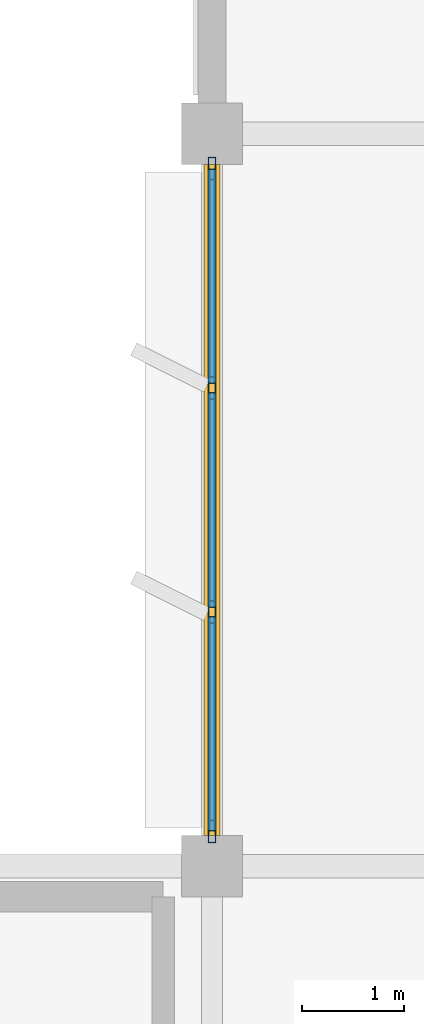
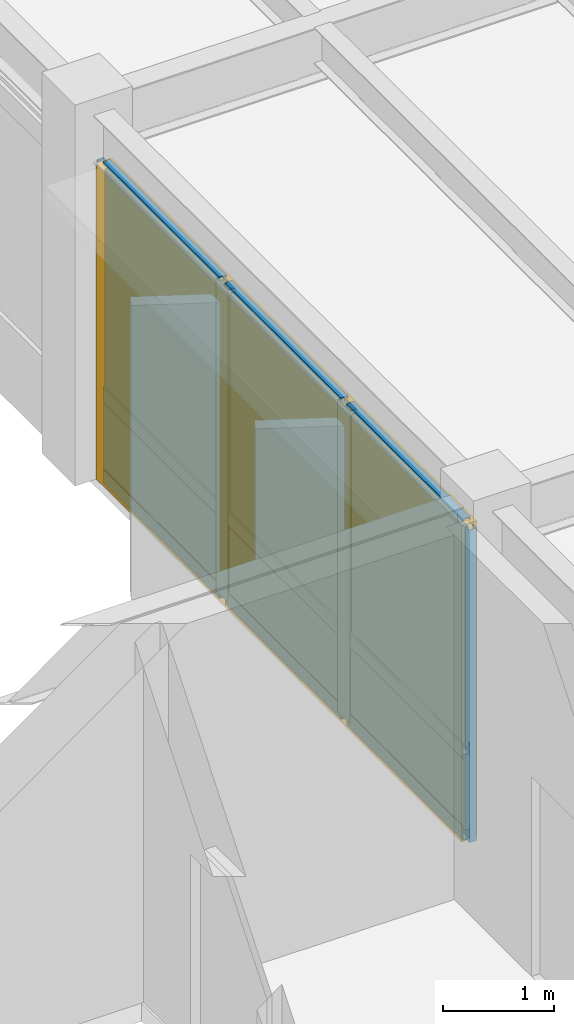
# One storey, part 60 of 85: 13 members, 6 plates, 1 curtain wall.
"""IFC4 building model written with IfcOpenShell, lengths in metres."""

from ifc_helpers import new_model, si_unit, direction, frame, origin, origin_2d, place, context, subcontext, project, spatial, rectangle, hollow_rectangle, extrude, material, layer, layer_set, material_profile, profile_set, type_object, element, aggregate, save


model = new_model("IFC4")

# Units and contexts
model_context = context("Model", 3, precision=1e-05, world=origin(), true_north=direction((0.0, 1.0)))
body_context = subcontext(model_context, "Body", "Model", "MODEL_VIEW")
ifc_project = project(units=[si_unit("LENGTHUNIT", "METRE"), si_unit("AREAUNIT", "SQUARE_METRE"), si_unit("VOLUMEUNIT", "CUBIC_METRE"), si_unit("PLANEANGLEUNIT", "RADIAN"), si_unit("MASSUNIT", "GRAM", prefix="KILO")], contexts=[model_context])

# Member
ifc_material_1 = material(Name="Anodized Aluminium 6063-T6", Category="aluminium")
ifc_material_profile_1 = material_profile(ifc_material_1, hollow_rectangle(XDim=0.074951171875, YDim=0.219970703125, WallThickness=0.0048828125, at=origin_2d()), Name="ALU 75x220x5")
ifc_profile_set_1 = profile_set([ifc_material_profile_1], Name="Anodized Aluminium 6063-T6")
member_type_1 = type_object("IfcMemberType", Name="CWM-75X180", PredefinedType="MULLION", material=ifc_profile_set_1)
site_placement = place(None, origin())
building_placement = place(site_placement, origin())
storey_placement = place(building_placement, frame((0.0, 0.0, 9.89990234375)))
member_1_placement = place(storey_placement, frame((93.60009765625, 93.93994140625, 0.02001953125), z_axis=(0.0, 0.0, 1.0), x_axis=(1.0, 0.0, 0.0)))
member_1 = element("IfcMember", 1, at=member_1_placement, type_object=member_type_1, Name="Curtain wall mullion CW-L03-13-13-W-00", PredefinedType="MULLION", context=body_context, shape_type="SweptSolid", body=[
    extrude(hollow_rectangle(XDim=0.074951171875, YDim=0.219970703125, WallThickness=0.0048828125, at=origin_2d()), origin(), (0.0, 0.0, 1.0), 3.447021484375),
])

member_2_placement = place(storey_placement, frame((93.60009765625, 96.10009765625, 0.02001953125), z_axis=(0.0, 0.0, 1.0), x_axis=(1.0, 0.0, 0.0)))
member_2 = element("IfcMember", 2, at=member_2_placement, type_object=member_type_1, Name="Curtain wall mullion CW-L03-13-13-W-01", PredefinedType="MULLION", context=body_context, shape_type="SweptSolid", body=[
    extrude(hollow_rectangle(XDim=0.074951171875, YDim=0.219970703125, WallThickness=0.0048828125, at=origin_2d()), origin(), (0.0, 0.0, 1.0), 3.447021484375),
])

member_3_placement = place(storey_placement, frame((93.60009765625, 98.300048828125, 0.02001953125), z_axis=(0.0, 0.0, 1.0), x_axis=(1.0, 0.0, 0.0)))
member_3 = element("IfcMember", 3, at=member_3_placement, type_object=member_type_1, Name="Curtain wall mullion CW-L03-13-13-W-02", PredefinedType="MULLION", context=body_context, shape_type="SweptSolid", body=[
    extrude(hollow_rectangle(XDim=0.074951171875, YDim=0.219970703125, WallThickness=0.0048828125, at=origin_2d()), origin(), (0.0, 0.0, 1.0), 3.447021484375),
])

member_4_placement = place(storey_placement, frame((93.60009765625, 100.4599609375, 0.02001953125), z_axis=(0.0, 0.0, 1.0), x_axis=(1.0, 0.0, 0.0)))
member_4 = element("IfcMember", 4, at=member_4_placement, type_object=member_type_1, Name="Curtain wall mullion CW-L03-13-13-W-03", PredefinedType="MULLION", context=body_context, shape_type="SweptSolid", body=[
    extrude(hollow_rectangle(XDim=0.074951171875, YDim=0.219970703125, WallThickness=0.0048828125, at=origin_2d()), origin(), (0.0, 0.0, 1.0), 3.447021484375),
])

ifc_material_profile_2 = material_profile(ifc_material_1, hollow_rectangle(XDim=0.074951171875, YDim=0.159912109375, WallThickness=0.00390625, at=origin_2d()), Name="ALU 75x160x4")
ifc_profile_set_2 = profile_set([ifc_material_profile_2], Name="Anodized Aluminium 6063-T6")
member_type_2 = type_object("IfcMemberType", Name="CWT-75X150", PredefinedType="USERDEFINED", material=ifc_profile_set_2)
member_5_placement = place(storey_placement, frame((93.60009765625, 93.949951171875, 0.050048828125), z_axis=(0.0, 1.0, 0.0), x_axis=(-1.0, 0.0, 0.0)))
member_5 = element("IfcMember", 5, at=member_5_placement, type_object=member_type_2, Name="Curtain wall transom CW-L03-13-13-W-1.01", ObjectType="TRANSOM", PredefinedType="USERDEFINED", context=body_context, shape_type="SweptSolid", body=[
    extrude(hollow_rectangle(XDim=0.074951171875, YDim=0.159912109375, WallThickness=0.00390625, at=origin_2d()), origin(), (0.0, 0.0, 1.0), 2.10009765625),
])

member_6_placement = place(storey_placement, frame((93.60009765625, 96.14990234375, 0.050048828125), z_axis=(0.0, 1.0, 0.0), x_axis=(-1.0, 0.0, 0.0)))
member_6 = element("IfcMember", 6, at=member_6_placement, type_object=member_type_2, Name="Curtain wall transom CW-L03-13-13-W-1.02", ObjectType="TRANSOM", PredefinedType="USERDEFINED", context=body_context, shape_type="SweptSolid", body=[
    extrude(hollow_rectangle(XDim=0.074951171875, YDim=0.159912109375, WallThickness=0.00390625, at=origin_2d()), origin(), (0.0, 0.0, 1.0), 2.10009765625),
])

member_7_placement = place(storey_placement, frame((93.60009765625, 98.35009765625, 0.050048828125), z_axis=(0.0, 1.0, 0.0), x_axis=(-1.0, 0.0, 0.0)))
member_7 = element("IfcMember", 7, at=member_7_placement, type_object=member_type_2, Name="Curtain wall transom CW-L03-13-13-W-1.03", ObjectType="TRANSOM", PredefinedType="USERDEFINED", context=body_context, shape_type="SweptSolid", body=[
    extrude(hollow_rectangle(XDim=0.074951171875, YDim=0.159912109375, WallThickness=0.00390625, at=origin_2d()), origin(), (0.0, 0.0, 1.0), 2.099853515625),
])

member_8_placement = place(storey_placement, frame((93.60009765625, 93.949951171875, 0.9501953125), z_axis=(0.0, 1.0, 0.0), x_axis=(-1.0, 0.0, 0.0)))
member_8 = element("IfcMember", 8, at=member_8_placement, type_object=member_type_2, Name="Curtain wall transom CW-L03-13-13-W-2.01", ObjectType="TRANSOM", PredefinedType="USERDEFINED", context=body_context, shape_type="SweptSolid", body=[
    extrude(hollow_rectangle(XDim=0.074951171875, YDim=0.159912109375, WallThickness=0.00390625, at=origin_2d()), origin(), (0.0, 0.0, 1.0), 2.10009765625),
])

member_9_placement = place(storey_placement, frame((93.60009765625, 96.14990234375, 0.9501953125), z_axis=(0.0, 1.0, 0.0), x_axis=(-1.0, 0.0, 0.0)))
member_9 = element("IfcMember", 9, at=member_9_placement, type_object=member_type_2, Name="Curtain wall transom CW-L03-13-13-W-2.02", ObjectType="TRANSOM", PredefinedType="USERDEFINED", context=body_context, shape_type="SweptSolid", body=[
    extrude(hollow_rectangle(XDim=0.074951171875, YDim=0.159912109375, WallThickness=0.00390625, at=origin_2d()), origin(), (0.0, 0.0, 1.0), 2.10009765625),
])

member_10_placement = place(storey_placement, frame((93.60009765625, 98.35009765625, 0.9501953125), z_axis=(0.0, 1.0, 0.0), x_axis=(-1.0, 0.0, 0.0)))
member_10 = element("IfcMember", 10, at=member_10_placement, type_object=member_type_2, Name="Curtain wall transom CW-L03-13-13-W-2.03", ObjectType="TRANSOM", PredefinedType="USERDEFINED", context=body_context, shape_type="SweptSolid", body=[
    extrude(hollow_rectangle(XDim=0.074951171875, YDim=0.159912109375, WallThickness=0.00390625, at=origin_2d()), origin(), (0.0, 0.0, 1.0), 2.099853515625),
])

member_11_placement = place(storey_placement, frame((93.60009765625, 93.949951171875, 3.43701171875), z_axis=(0.0, 1.0, 0.0), x_axis=(-1.0, 0.0, 0.0)))
member_11 = element("IfcMember", 11, at=member_11_placement, type_object=member_type_2, Name="Curtain wall transom CW-L03-13-13-W-3.01", ObjectType="TRANSOM", PredefinedType="USERDEFINED", context=body_context, shape_type="SweptSolid", body=[
    extrude(hollow_rectangle(XDim=0.074951171875, YDim=0.159912109375, WallThickness=0.00390625, at=origin_2d()), origin(), (0.0, 0.0, 1.0), 2.10009765625),
])

member_12_placement = place(storey_placement, frame((93.60009765625, 96.14990234375, 3.43701171875), z_axis=(0.0, 1.0, 0.0), x_axis=(-1.0, 0.0, 0.0)))
member_12 = element("IfcMember", 12, at=member_12_placement, type_object=member_type_2, Name="Curtain wall transom CW-L03-13-13-W-3.02", ObjectType="TRANSOM", PredefinedType="USERDEFINED", context=body_context, shape_type="SweptSolid", body=[
    extrude(hollow_rectangle(XDim=0.074951171875, YDim=0.159912109375, WallThickness=0.00390625, at=origin_2d()), origin(), (0.0, 0.0, 1.0), 2.10009765625),
])

member_13_placement = place(storey_placement, frame((93.60009765625, 98.35009765625, 3.43701171875), z_axis=(0.0, 1.0, 0.0), x_axis=(-1.0, 0.0, 0.0)))
member_13 = element("IfcMember", 13, at=member_13_placement, type_object=member_type_2, Name="Curtain wall transom CW-L03-13-13-W-3.03", ObjectType="TRANSOM", PredefinedType="USERDEFINED", context=body_context, shape_type="SweptSolid", body=[
    extrude(hollow_rectangle(XDim=0.074951171875, YDim=0.159912109375, WallThickness=0.00390625, at=origin_2d()), origin(), (0.0, 0.0, 1.0), 2.099853515625),
])

# Plate
ifc_material_2 = material(Name="Acoustic Laminated Low-E Glazing", Category="glass")
ifc_layer_1 = layer(ifc_material_2, 0.0439453125)
ifc_layer_set_1 = layer_set([ifc_layer_1], Name="Acoustic Laminated Low-E Glazing")
plate_type_1 = type_object("IfcPlateType", Name="CWP-IGU-44", PredefinedType="CURTAIN_PANEL", material=ifc_layer_set_1)
plate_1_placement = place(storey_placement, frame((93.60009765625, 95.0, 0.989990234375), z_axis=(0.0, 0.0, 1.0), x_axis=(0.0, 1.0, 0.0)))
plate_1 = element("IfcPlate", 14, at=plate_1_placement, type_object=plate_type_1, Name="Curtain wall vision glazing CW-L03-13-13-W-01", PredefinedType="CURTAIN_PANEL", context=body_context, shape_type="SweptSolid", body=[
    extrude(rectangle(XDim=2.110107421875, YDim=0.0400390625, at=origin_2d()), origin(), (0.0, 0.0, 1.0), 2.43701171875),
])

plate_2_placement = place(storey_placement, frame((93.60009765625, 97.199951171875, 0.989990234375), z_axis=(0.0, 0.0, 1.0), x_axis=(0.0, 1.0, 0.0)))
plate_2 = element("IfcPlate", 15, at=plate_2_placement, type_object=plate_type_1, Name="Curtain wall vision glazing CW-L03-13-13-W-02", PredefinedType="CURTAIN_PANEL", context=body_context, shape_type="SweptSolid", body=[
    extrude(rectangle(XDim=2.110107421875, YDim=0.0400390625, at=origin_2d()), origin(), (0.0, 0.0, 1.0), 2.43701171875),
])

plate_3_placement = place(storey_placement, frame((93.60009765625, 99.39990234375, 0.989990234375), z_axis=(0.0, 0.0, 1.0), x_axis=(0.0, 1.0, 0.0)))
plate_3 = element("IfcPlate", 16, at=plate_3_placement, type_object=plate_type_1, Name="Curtain wall vision glazing CW-L03-13-13-W-03", PredefinedType="CURTAIN_PANEL", context=body_context, shape_type="SweptSolid", body=[
    extrude(rectangle(XDim=2.110107421875, YDim=0.0400390625, at=origin_2d()), origin(), (0.0, 0.0, 1.0), 2.43701171875),
])

ifc_material_3 = material(Name="Insulated Stone-Composite Spandrel", Category="masonry")
ifc_layer_2 = layer(ifc_material_3, 0.068115234375)
ifc_layer_set_2 = layer_set([ifc_layer_2], Name="Insulated Stone-Composite Spandrel")
plate_type_2 = type_object("IfcPlateType", Name="CWP-SPN-68", PredefinedType="CURTAIN_PANEL", material=ifc_layer_set_2)
plate_4_placement = place(storey_placement, frame((93.60009765625, 95.0, 0.080078125), z_axis=(0.0, 0.0, 1.0), x_axis=(0.0, 1.0, 0.0)))
plate_4 = element("IfcPlate", 17, at=plate_4_placement, type_object=plate_type_2, Name="Curtain wall spandrel panel CW-L03-13-13-W-01", PredefinedType="CURTAIN_PANEL", context=body_context, shape_type="SweptSolid", body=[
    extrude(rectangle(XDim=2.110107421875, YDim=0.06005859375, at=origin_2d()), origin(), (0.0, 0.0, 1.0), 0.840087890625),
])

plate_5_placement = place(storey_placement, frame((93.60009765625, 97.199951171875, 0.080078125), z_axis=(0.0, 0.0, 1.0), x_axis=(0.0, 1.0, 0.0)))
plate_5 = element("IfcPlate", 18, at=plate_5_placement, type_object=plate_type_2, Name="Curtain wall spandrel panel CW-L03-13-13-W-02", PredefinedType="CURTAIN_PANEL", context=body_context, shape_type="SweptSolid", body=[
    extrude(rectangle(XDim=2.110107421875, YDim=0.06005859375, at=origin_2d()), origin(), (0.0, 0.0, 1.0), 0.840087890625),
])

plate_6_placement = place(storey_placement, frame((93.60009765625, 99.39990234375, 0.080078125), z_axis=(0.0, 0.0, 1.0), x_axis=(0.0, 1.0, 0.0)))
plate_6 = element("IfcPlate", 19, at=plate_6_placement, type_object=plate_type_2, Name="Curtain wall spandrel panel CW-L03-13-13-W-03", PredefinedType="CURTAIN_PANEL", context=body_context, shape_type="SweptSolid", body=[
    extrude(rectangle(XDim=2.110107421875, YDim=0.06005859375, at=origin_2d()), origin(), (0.0, 0.0, 1.0), 0.840087890625),
])

# Site, building, storey
site = spatial("IfcSite", under=ifc_project, at=site_placement, CompositionType="ELEMENT")
building = spatial("IfcBuilding", under=site, at=building_placement, Name="Sillqori Civic Hall", CompositionType="ELEMENT")
storey = spatial("IfcBuildingStorey", under=building, at=storey_placement, Name="L03", CompositionType="ELEMENT", Elevation=9.89990234375)

# Curtain wall
ifc_material_4 = material(Name="Anodized Aluminium Curtain Wall System", Category="aluminium")
curtain_wall_type = type_object("IfcCurtainWallType", Name="CW-GL-400", PredefinedType="NOTDEFINED", material=ifc_material_4)
curtain_wall_placement = place(storey_placement, frame((93.60009765625, 97.199951171875, 0.0), z_axis=(0.0, 0.0, 1.0), x_axis=(0.0, 1.0, 0.0)))
curtain_wall = element("IfcCurtainWall", 20, at=curtain_wall_placement, inside=storey, type_object=curtain_wall_type, Name="L03 unitised curtain wall CW-L03-13-13-W", PredefinedType="NOTDEFINED", context=body_context, shape_type="SweptSolid", body=[
    extrude(rectangle(XDim=6.60009765625, YDim=0.159912109375, at=origin_2d()), origin(), (0.0, 0.0, 1.0), 3.487060546875),
])

aggregate(curtain_wall, [member_1, member_2, member_3, member_4, member_5, member_6, member_7, member_8, member_9, member_10, member_11, member_12, member_13, plate_4, plate_1, plate_5, plate_2, plate_6, plate_3])

save(model, "model.ifc")
